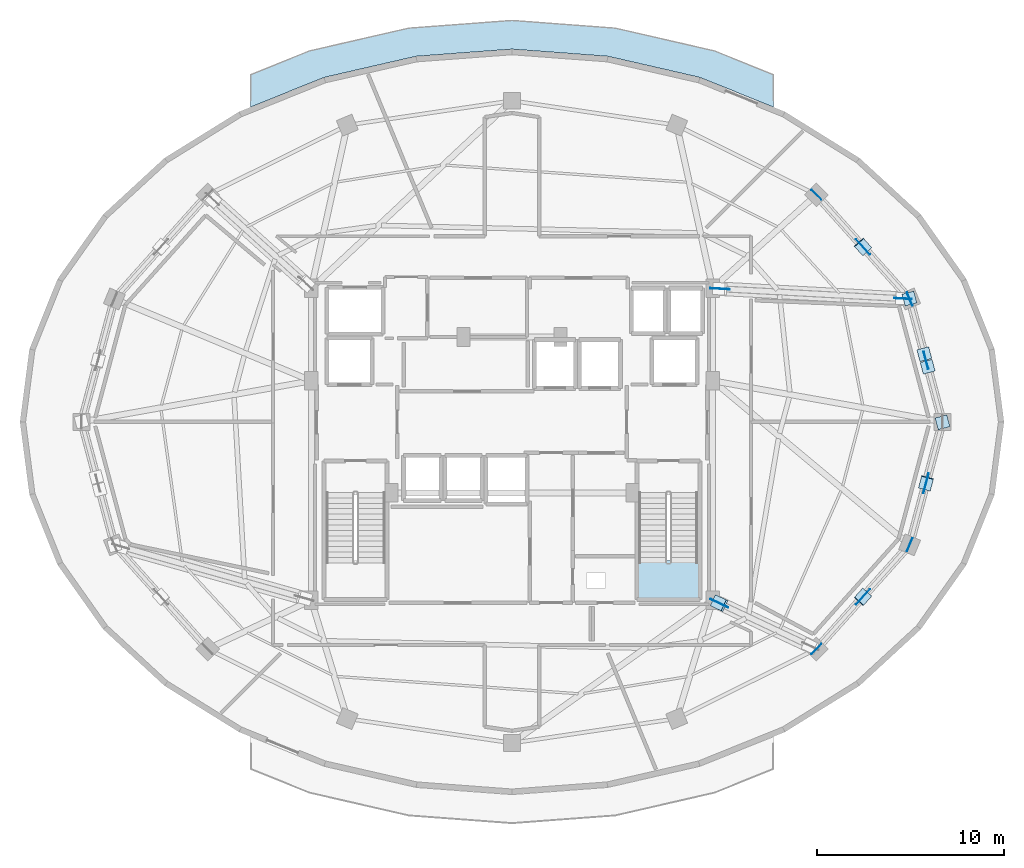
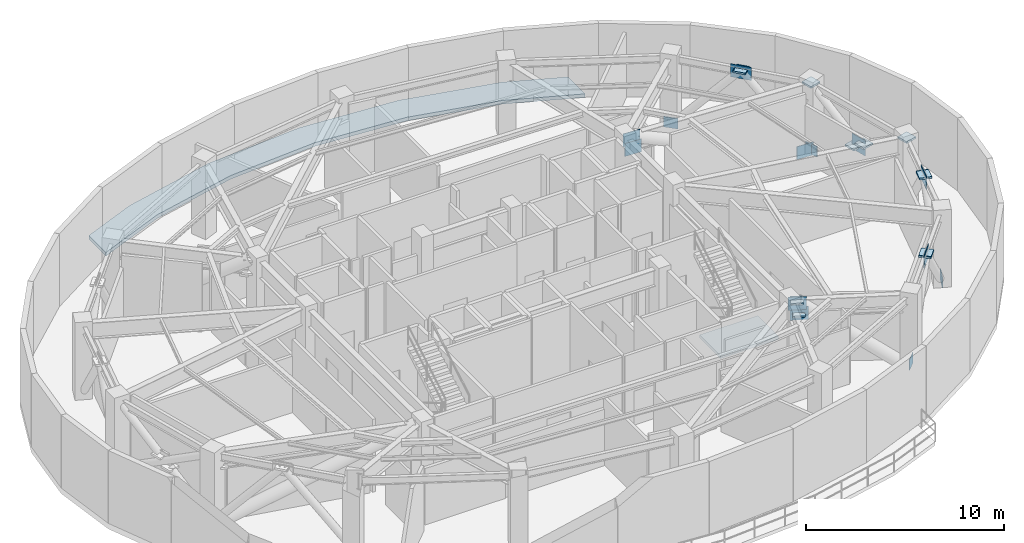
# One storey, part 5 of 10: 25 plates, 2 slabs, 1 element without a shape of its own.
"""IFC4 building model written with IfcOpenShell, lengths in metres."""

import ifcopenshell
import ifcopenshell.guid

model = None  # the IFC model being written
_history = None  # IfcOwnerHistory: only IFC2X3 demands one
_inside = {}  # id of a spatial element -> (the spatial element, [elements in it])
_under = {}  # id of a project, library or spatial element -> (it, [spatial elements below it])
_declared = {}  # id of a project -> (the project, [libraries it declares])
_typed = {}  # id of a type object -> (the type object, [elements of that type])
_made_of = {}  # id of a material, layer set ... -> (it, [elements and type objects made of it])


def new_model(schema):
    """Start an empty IFC model of exactly this schema.

    Asked for "IFC4X3", IfcOpenShell would pick the latest addendum, in which some entities
    have other attributes; the version numbers below select the first issue.
    IFC2X3 requires an IfcOwnerHistory on every rooted entity: one is made here for all.
    """
    global model, _history
    if schema == "IFC4X3":
        model = ifcopenshell.file(schema_version=(4, 3, 0, 0))
    else:
        model = ifcopenshell.file(schema=schema)
    _inside.clear()
    _under.clear()
    _declared.clear()
    _typed.clear()
    _made_of.clear()
    _history = None
    if model.schema == "IFC2X3":
        org = make("IfcOrganization", Name="unknown")
        user = make(
            "IfcPersonAndOrganization",
            ThePerson=make("IfcPerson", FamilyName="unknown"),
            TheOrganization=org,
        )
        app = make(
            "IfcApplication",
            ApplicationDeveloper=org,
            Version="unknown",
            ApplicationFullName="unknown",
            ApplicationIdentifier="unknown",
        )
        _history = make(
            "IfcOwnerHistory",
            OwningUser=user,
            OwningApplication=app,
            ChangeAction="ADDED",
            CreationDate=0,
        )
    return model


def make(cls, **values):
    """One entity of the class cls with the attributes given. An attribute that is None is left unset."""
    return model.create_entity(
        cls, **{name: value for name, value in values.items() if value is not None}
    )


def rooted(cls, **values):
    """An entity with a GlobalId (a new one), such as an element, a storey or a relation."""
    return make(cls, GlobalId=ifcopenshell.guid.new(), OwnerHistory=_history, **values)


def si_unit(unit_type, name, prefix=None):
    """IfcSIUnit, for example si_unit("LENGTHUNIT", "METRE", prefix="MILLI")."""
    return make("IfcSIUnit", UnitType=unit_type, Prefix=prefix, Name=name)


def assignment(units):
    """IfcUnitAssignment: the units of a project."""
    return None if units is None else make("IfcUnitAssignment", Units=units)


def point(xyz):
    """IfcCartesianPoint."""
    return None if xyz is None else make("IfcCartesianPoint", Coordinates=xyz)


def direction(xyz):
    """IfcDirection."""
    return None if xyz is None else make("IfcDirection", DirectionRatios=xyz)


def frame(location, z_axis=None, x_axis=None):
    """IfcAxis2Placement3D, a coordinate frame: its origin and axes. An axis left out is left unset."""
    return make(
        "IfcAxis2Placement3D",
        Location=point(location),
        Axis=direction(z_axis),
        RefDirection=direction(x_axis),
    )


def frame_2d(location, x_axis=None):
    """IfcAxis2Placement2D, a coordinate frame in the plane: its origin and x axis."""
    return make(
        "IfcAxis2Placement2D", Location=point(location), RefDirection=direction(x_axis)
    )


def origin():
    """The frame at (0, 0, 0) with its axes left unset."""
    return frame((0.0, 0.0, 0.0))


def origin_2d():
    """The frame at (0, 0) in the plane with its x axis left unset."""
    return frame_2d((0.0, 0.0))


def place(relative_to, where):
    """IfcLocalPlacement: puts the frame where relative to a parent placement (None: the world)."""
    return make(
        "IfcLocalPlacement", PlacementRelTo=relative_to, RelativePlacement=where
    )


def context(
    kind, dimensions, precision=None, world=None, true_north=None, identifier=None
):
    """IfcGeometricRepresentationContext, for example the 3D "Model" context."""
    return make(
        "IfcGeometricRepresentationContext",
        ContextIdentifier=identifier,
        ContextType=kind,
        CoordinateSpaceDimension=dimensions,
        Precision=precision,
        WorldCoordinateSystem=world,
        TrueNorth=true_north,
    )


def subcontext(parent, identifier, kind, view, scale=None):
    """IfcGeometricRepresentationSubContext, for example "Body" below "Model"."""
    return make(
        "IfcGeometricRepresentationSubContext",
        ContextIdentifier=identifier,
        ContextType=kind,
        ParentContext=parent,
        TargetScale=scale,
        TargetView=view,
    )


def project(units=None, contexts=None):
    """IfcProject with its units and contexts."""
    return rooted(
        "IfcProject",
        Name="project",
        RepresentationContexts=contexts,
        UnitsInContext=assignment(units),
    )


def spatial(cls, under=None, at=None, **own):
    """A site, building, storey or space (cls), placed at a placement, below another one or the project."""
    s = rooted(cls, ObjectPlacement=at, **own)
    if under is not None:
        _under.setdefault(under.id(), (under, []))[1].append(s)
    return s


def polyline(points):
    """IfcPolyline through the points."""
    return make("IfcPolyline", Points=[point(p) for p in points])


def profile(cls, at=None, kind="AREA", **sizes):
    """A parametric profile (cls). Its sizes go by their IFC names, for example OverallWidth=200.0."""
    return make(cls, ProfileType=kind, Position=at, **sizes)


def rectangle(**sizes):
    """IfcRectangleProfileDef."""
    return profile("IfcRectangleProfileDef", **sizes)


def outline(outer, holes=None, kind="AREA"):
    """IfcArbitraryClosedProfileDef: a profile drawn as a closed curve; with holes, ...WithVoids."""
    if holes is None:
        return make("IfcArbitraryClosedProfileDef", ProfileType=kind, OuterCurve=outer)
    return make(
        "IfcArbitraryProfileDefWithVoids",
        ProfileType=kind,
        OuterCurve=outer,
        InnerCurves=holes,
    )


def extrude(swept, where, along, depth):
    """IfcExtrudedAreaSolid: the profile swept, set in the frame where, extruded along a direction by depth."""
    return make(
        "IfcExtrudedAreaSolid",
        SweptArea=swept,
        Position=where,
        ExtrudedDirection=direction(along),
        Depth=depth,
    )


def shape(context_of_items, identifier, shape_type, items):
    """IfcShapeRepresentation: the items that make up one representation, for example the "Body"."""
    return make(
        "IfcShapeRepresentation",
        ContextOfItems=context_of_items,
        RepresentationIdentifier=identifier,
        RepresentationType=shape_type,
        Items=items,
    )


def material(Name=None, Category=None):
    """IfcMaterial."""
    return make("IfcMaterial", Name=Name, Category=Category)


def layer(
    of_material, thickness, ventilated=None, Name=None, Category=None, Priority=None
):
    """IfcMaterialLayer: one layer of a wall or slab, of a material (None: an air gap)."""
    return make(
        "IfcMaterialLayer",
        Material=of_material,
        LayerThickness=thickness,
        IsVentilated=ventilated,
        Name=Name,
        Category=Category,
        Priority=Priority,
    )


def layer_set(layers, Name=None):
    """IfcMaterialLayerSet."""
    return make("IfcMaterialLayerSet", MaterialLayers=layers, LayerSetName=Name)


def made_of(thing, what):
    """Note that an element or type object is made of a material, layer set ...; save() writes the relation."""
    if what is not None:
        _made_of.setdefault(what.id(), (what, []))[1].append(thing)
    return thing


def type_object(cls, material=None, **own):
    """A type object (cls), such as IfcWallType, which elements share."""
    return made_of(rooted(cls, **own), material)


def element(
    cls,
    number,
    at=None,
    inside=None,
    cuts=None,
    type_object=None,
    material=None,
    context=None,
    identifier="Body",
    shape_type=None,
    held_by="IfcProductDefinitionShape",
    body=None,
    shapes=None,
    **own,
):
    """One element of the class cls, such as IfcWall. Its Tag is "e" and its number.

    at: its placement. inside: the storey or other place that contains it. cuts: it is an
    opening in that element (IfcRelVoidsElement). A single representation is given by context,
    identifier, shape_type and body (its items); several are given by shapes. held_by: the class
    of the entity that holds the representations. save() writes the other relations.
    """
    e = rooted(cls, Tag="e%d" % number, ObjectPlacement=at, **own)
    if body is not None:
        shapes = [shape(context, identifier, shape_type, body)]
    if shapes is not None:
        e.Representation = make(held_by, Representations=shapes)
    if inside is not None:
        _inside.setdefault(inside.id(), (inside, []))[1].append(e)
    if cuts is not None:
        rooted(
            "IfcRelVoidsElement", RelatingBuildingElement=cuts, RelatedOpeningElement=e
        )
    if type_object is not None:
        _typed.setdefault(type_object.id(), (type_object, []))[1].append(e)
    return made_of(e, material)


def aggregate(whole, parts):
    """IfcRelAggregates: a whole, such as a stair, and the parts it consists of."""
    return rooted("IfcRelAggregates", RelatingObject=whole, RelatedObjects=parts)


def save(model, path):
    """Write the relations noted so far, then the file.

    IfcRelAggregates (storeys below a building ...), IfcRelContainedInSpatialStructure (elements
    in a storey), IfcRelDefinesByType, IfcRelAssociatesMaterial and IfcRelDeclares: one each for
    every whole, place, type object, material and project.
    """
    for whole, parts in _under.values():
        aggregate(whole, parts)
    for where, things in _inside.values():
        rooted(
            "IfcRelContainedInSpatialStructure",
            RelatedElements=things,
            RelatingStructure=where,
        )
    for kind, things in _typed.values():
        rooted("IfcRelDefinesByType", RelatedObjects=things, RelatingType=kind)
    for what, things in _made_of.values():
        rooted("IfcRelAssociatesMaterial", RelatedObjects=things, RelatingMaterial=what)
    for by, libraries in _declared.values():
        rooted("IfcRelDeclares", RelatingContext=by, RelatedDefinitions=libraries)
    model.write(path)


model = new_model("IFC4")

# Units and contexts
model_context = context("Model", 3, precision=1e-05, world=origin(), true_north=direction((0.0, 1.0)))
body_context = subcontext(model_context, "Body", "Model", "MODEL_VIEW")
ifc_project = project(units=[si_unit("LENGTHUNIT", "METRE"), si_unit("AREAUNIT", "SQUARE_METRE"), si_unit("VOLUMEUNIT", "CUBIC_METRE"), si_unit("PLANEANGLEUNIT", "RADIAN"), si_unit("MASSUNIT", "GRAM", prefix="KILO")], contexts=[model_context])

# Site, building, storey
site_placement = place(None, origin())
site = spatial("IfcSite", under=ifc_project, at=site_placement, CompositionType="ELEMENT")
building_placement = place(site_placement, origin())
building = spatial("IfcBuilding", under=site, at=building_placement, Name="Vorneva Point Tower", CompositionType="ELEMENT")
storey_placement = place(building_placement, frame((0.0, 0.0, 224.949951171875)))
storey = spatial("IfcBuildingStorey", under=building, at=storey_placement, Name="L61", CompositionType="ELEMENT", Elevation=224.949951171875)

# Plates
ifc_material_1 = material(Name="Steel S355", Category="steel")
ifc_layer_1 = layer(ifc_material_1, 0.028076171875)
ifc_layer_set_1 = layer_set([ifc_layer_1], Name="Steel S355")
plate_type_1 = type_object("IfcPlateType", Name="PLT-CAP-INT", PredefinedType="USERDEFINED", material=ifc_layer_set_1)
for number, where, z_axis, x_axis, name in (
    (1, (59.288818359375, 32.606689453125, 4.31005859375), (0.0, 0.0, 1.0), (-0.257571294219, 0.966259296666, 0.0), "L61 Perimeter Belt-Truss Continuous X-Brace 01A end closure plate 2"),
    (2, (60.0830078125, 29.627685546875, 1.962890625), (0.0, 0.0, 1.0), (0.257571294219, -0.966259296666, 0.0), "L61 Perimeter Belt-Truss Split X-Brace 01B1 end closure plate 2"),
    (3, (60.262451171875, 28.95458984375, 2.3955078125), (0.0, 0.0, 1.0), (0.257571294219, -0.966259296666, 0.0), "L61 Perimeter Belt-Truss Split X-Brace 01B2 end closure plate 1"),
    (4, (61.056640625, 25.975341796875, 4.31005859375), (0.0, 0.0, 1.0), (0.257571294219, -0.966259296666, 0.0), "L61 Perimeter Belt-Truss Split X-Brace 01B2 end closure plate 2"),
    (5, (56.78369140625, 35.386962890625, 4.31640625), (0.0, 0.0, 1.0), (-0.667091755948, 0.744975562784, 0.0), "L61 Perimeter Belt-Truss Diagonal 02A end closure plate 2"),
    (6, (56.810302734375, 35.357421875, 4.31640625), (0.0, 0.0, 1.0), (0.667091755948, -0.744975562784, 0.0), "L61 Perimeter Belt-Truss Diagonal 02B end closure plate 2"),
    (7, (56.810302734375, 16.642578125, 4.31640625), (0.0, 0.0, 1.0), (0.667091755948, 0.744975562784, 0.0), "L61 Perimeter Belt-Truss Diagonal 15A end closure plate 2"),
    (8, (56.78369140625, 16.613037109375, 4.31640625), (0.0, 0.0, 1.0), (-0.667091755948, -0.744975562784, 0.0), "L61 Perimeter Belt-Truss Diagonal 15B end closure plate 2"),
    (9, (60.177490234375, 22.72705078125, 4.3173828125), (0.0, 0.0, 1.0), (0.257571294219, 0.966259296666, 0.0), "L61 Perimeter Belt-Truss Diagonal 16A end closure plate 2"),
    (10, (60.16796875, 22.690673828125, 4.3173828125), (0.0, 0.0, 1.0), (-0.257571294219, -0.966259296666, 0.0), "L61 Perimeter Belt-Truss Diagonal 16B end closure plate 2"),
    (11, (49.04541015625, 16.31103515625, 4.3125), (0.0, 0.0, 1.0), (0.904760160049, -0.425921416213, 0.0), "L61 Core Outrigger Diagonal 15A end closure plate 1"),
    (12, (49.1298828125, 16.27099609375, 3.51416015625), (0.0, 0.0, 1.0), (0.904760160049, -0.425921416213, 0.0), "L61 Core Outrigger Collector Strut 15B end closure plate 1"),
):
    element("IfcPlate", number, at=place(storey_placement, frame(where, z_axis=z_axis, x_axis=x_axis)), inside=storey, type_object=plate_type_1, Name=name, ObjectType="BASE PLATE", PredefinedType="USERDEFINED", context=body_context, shape_type="SweptSolid", body=[
        extrude(rectangle(XDim=0.64990234375, YDim=0.64990234375, at=origin_2d()), origin(), (0.0, 0.0, 1.0), 0.112060546875),
    ])
ifc_material_2 = material(Name="Steel S460", Category="steel")
ifc_layer_2 = layer(ifc_material_2, 0.031982421875)
ifc_layer_set_2 = layer_set([ifc_layer_2], Name="Steel S460")
plate_type_2 = type_object("IfcPlateType", Name="PLT-GUS-32", PredefinedType="USERDEFINED", material=ifc_layer_set_2)
plate_placement = place(storey_placement, frame((60.172607421875, 29.291015625, 1.76025390625), z_axis=(0.0, 0.0, 1.0), x_axis=(-0.257571294219, 0.966259296666, 0.0)))
element("IfcPlate", 13, at=plate_placement, inside=storey, type_object=plate_type_2, Name="L61 Belt-Truss X-Brace Central Node Gusset Plate 01", ObjectType="GUSSET PLATE", PredefinedType="USERDEFINED", context=body_context, shape_type="SweptSolid", body=[
    extrude(rectangle(XDim=0.949951171875, YDim=0.031982421875, at=origin_2d()), origin(), (0.0, 0.0, 1.0), 0.949951171875),
])
for number, where, z_axis, x_axis, name in (
    (14, (56.797119140625, 35.372314453125, 3.81005859375), (0.0, 0.0, 1.0), (-0.667091755948, 0.744975562784, 0.0), "L61 Belt-Truss Apex Gusset Plate 02"),
    (15, (56.797119140625, 16.627685546875, 3.81005859375), (0.0, 0.0, 1.0), (0.667091755948, 0.744975562784, 0.0), "L61 Belt-Truss Apex Gusset Plate 15"),
    (16, (60.172607421875, 22.708984375, 3.81005859375), (0.0, 0.0, 1.0), (0.257571294219, 0.966259296666, 0.0), "L61 Belt-Truss Apex Gusset Plate 16"),
):
    element("IfcPlate", number, at=place(storey_placement, frame(where, z_axis=z_axis, x_axis=x_axis)), inside=storey, type_object=plate_type_2, Name=name, ObjectType="GUSSET PLATE", PredefinedType="USERDEFINED", context=body_context, shape_type="SweptSolid", body=[
        extrude(rectangle(XDim=1.10009765625, YDim=0.031982421875, at=origin_2d()), origin(), (0.0, 0.0, 1.0), 0.800048828125),
    ])
for number, where, z_axis, x_axis, name in (
    (17, (59.29541015625, 32.582275390625, -0.054931640625), (0.0, 0.0, 1.0), (-0.382683432365, 0.923879532511, 0.0), "L61 Belt-Truss Column Base Gusset Plate 02"),
    (18, (54.298828125, 38.162109375, -0.054931640625), (0.0, 0.0, 1.0), (-0.707106781187, 0.707106781187, 0.0), "L61 Belt-Truss Column Base Gusset Plate 03"),
    (19, (54.298828125, 13.837890625, -0.054931640625), (0.0, 0.0, 1.0), (0.707106781187, 0.707106781187, 0.0), "L61 Belt-Truss Column Base Gusset Plate 15"),
    (20, (59.29541015625, 19.417724609375, -0.054931640625), (0.0, 0.0, 1.0), (0.382683432365, 0.923879532511, 0.0), "L61 Belt-Truss Column Base Gusset Plate 16"),
):
    element("IfcPlate", number, at=place(storey_placement, frame(where, z_axis=z_axis, x_axis=x_axis)), inside=storey, type_object=plate_type_2, Name=name, ObjectType="GUSSET PLATE", PredefinedType="USERDEFINED", context=body_context, shape_type="SweptSolid", body=[
        extrude(rectangle(XDim=0.75, YDim=0.031982421875, at=origin_2d()), origin(), (0.0, 0.0, 1.0), 0.64990234375),
    ])
for number, where, z_axis, x_axis, name in (
    (21, (49.099609375, 33.131103515625, 3.7900390625), (0.0, 0.0, 1.0), (0.99855361041, -0.053765110774, 0.0), "L61 Outrigger Core Wall Anchorage Gusset 02"),
    (22, (49.19921875, 33.125732421875, 3.169921875), (0.0, 0.0, 1.0), (0.99855361041, -0.053765110774, 0.0), "L61 Outrigger Core Collector Link Gusset 02"),
    (23, (58.94580078125, 32.60107421875, -0.1201171875), (0.0, 0.0, 1.0), (0.99855361041, -0.053765110774, 0.0), "L61 Outrigger Perimeter Column Gusset 02"),
    (24, (49.066650390625, 16.30078125, 3.7900390625), (0.0, 0.0, 1.0), (0.90475272618, -0.425937207192, 0.0), "L61 Outrigger Core Wall Anchorage Gusset 15"),
    (25, (49.156982421875, 16.25830078125, 3.169921875), (0.0, 0.0, 1.0), (0.90475272618, -0.425937207192, 0.0), "L61 Outrigger Core Collector Link Gusset 15"),
):
    element("IfcPlate", number, at=place(storey_placement, frame(where, z_axis=z_axis, x_axis=x_axis)), inside=storey, type_object=plate_type_2, Name=name, ObjectType="GUSSET PLATE", PredefinedType="USERDEFINED", context=body_context, shape_type="SweptSolid", body=[
        extrude(rectangle(XDim=0.949951171875, YDim=0.031982421875, at=origin_2d()), origin(), (0.0, 0.0, 1.0), 0.800048828125),
    ])

# Slab
ifc_material_3 = material(Name="Concrete B50 (C40/50)", Category="concrete")
ifc_layer_3 = layer(ifc_material_3, 0.219970703125)
ifc_layer_set_3 = layer_set([ifc_layer_3], Name="Concrete B50 (C40/50)")
slab_type_1 = type_object("IfcSlabType", Name="SLB-BAL-220", PredefinedType="FLOOR", material=ifc_layer_set_3)
slab_1_placement = place(storey_placement, frame((0.0, 0.0, -0.219970703125)))
element("IfcSlab", 26, at=slab_1_placement, inside=storey, type_object=slab_type_1, Name="L61 Recessed Sky Garden Terrace NORTH", PredefinedType="FLOOR", context=body_context, shape_type="SweptSolid", body=[
    extrude(outline(polyline([(24.0, 44.59228515625), (24.0, 42.859375), (27.914794921875, 44.4443359375), (27.9150390625, 44.4443359375), (27.915283203125, 44.444580078125), (32.8583984375, 45.580322265625), (32.85888671875, 45.58056640625), (32.859130859375, 45.58056640625), (37.999755859375, 45.964111328125), (38.0, 45.964111328125), (38.000244140625, 45.964111328125), (43.140869140625, 45.58056640625), (43.14111328125, 45.58056640625), (43.1416015625, 45.580322265625), (48.084716796875, 44.444580078125), (48.0849609375, 44.4443359375), (48.085205078125, 44.4443359375), (52.0, 42.859375), (52.0, 44.59228515625), (48.860595703125, 45.86328125), (43.53662109375, 47.0869140625), (38.0, 47.5), (32.46337890625, 47.0869140625), (27.139404296875, 45.86328125), (24.0, 44.59228515625)])), origin(), (0.0, 0.0, 1.0), 0.219970703125),
])

# Stair, slab
stair_type = type_object("IfcStairType", Name="ST-DOG-1500", PredefinedType="HALF_TURN_STAIR", material=ifc_material_3)
stair_placement = place(storey_placement, origin())
stair = element("IfcStair", 27, at=stair_placement, inside=storey, type_object=stair_type, Name="L61 ST2", PredefinedType="HALF_TURN_STAIR")
ifc_layer_4 = layer(ifc_material_3, 0.199951171875)
ifc_layer_set_4 = layer_set([ifc_layer_4], Name="Concrete B50 (C40/50)")
slab_type_2 = type_object("IfcSlabType", Name="SLB-LND-200", PredefinedType="LANDING", material=ifc_layer_set_4)
slab_2_placement = place(storey_placement, frame((0.0, 0.0, 2.199951171875)))
slab_2 = element("IfcSlab", 28, at=slab_2_placement, type_object=slab_type_2, Name="ST2 landing 1", PredefinedType="LANDING", context=body_context, shape_type="SweptSolid", body=[
    extrude(outline(polyline([(44.679931640625, 16.47998046875), (48.070068359375, 16.47998046875), (48.070068359375, 18.570068359375), (44.679931640625, 18.570068359375), (44.679931640625, 16.47998046875)])), origin(), (0.0, 0.0, 1.0), 0.2001953125),
])
aggregate(stair, [slab_2])

save(model, "model.ifc")
